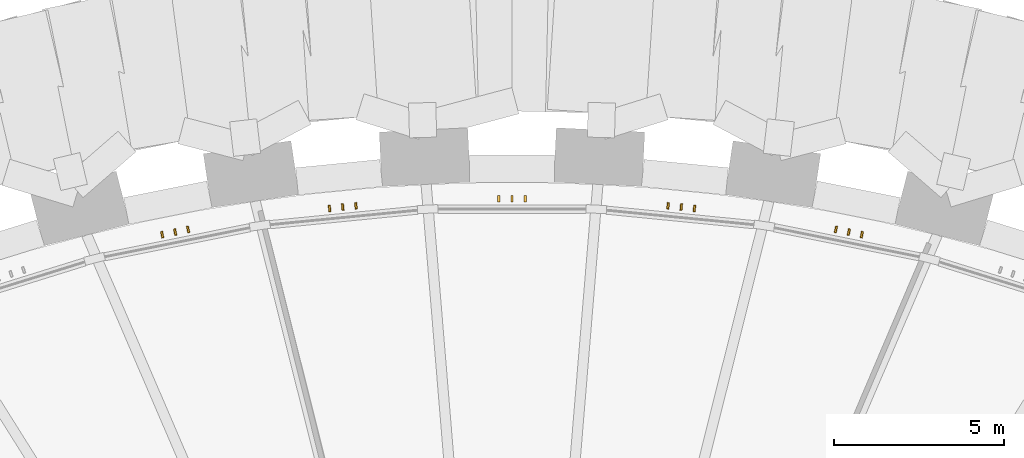
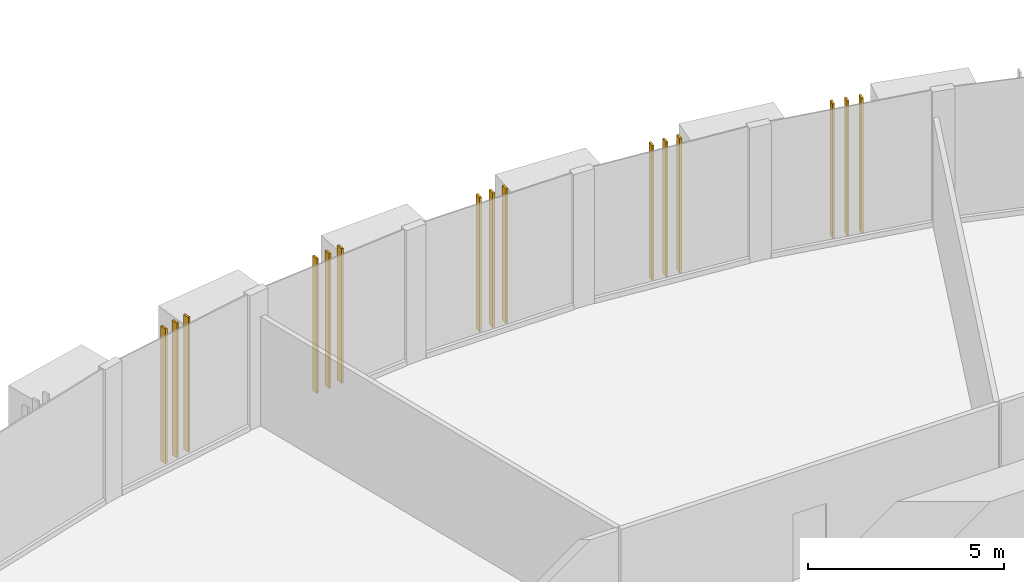
# One storey, part 23 of 23: 15 shading devices.
"""IFC4 building model written with IfcOpenShell, lengths in metres."""

from ifc_helpers import new_model, si_unit, direction, frame, origin, origin_2d, place, context, subcontext, project, spatial, rectangle, extrude, source, transform, mapped, material, material_profile, profile_set, type_object, element, save


model = new_model("IFC4")

# Units and contexts
model_context = context("Model", 3, precision=1e-05, world=origin(), true_north=direction((0.0, 1.0)))
body_context = subcontext(model_context, "Body", "Model", "MODEL_VIEW")
ifc_project = project(units=[si_unit("LENGTHUNIT", "METRE"), si_unit("AREAUNIT", "SQUARE_METRE"), si_unit("VOLUMEUNIT", "CUBIC_METRE"), si_unit("PLANEANGLEUNIT", "RADIAN"), si_unit("MASSUNIT", "GRAM", prefix="KILO")], contexts=[model_context])

# Site, building, storey
site_placement = place(None, origin())
site = spatial("IfcSite", under=ifc_project, at=site_placement, CompositionType="ELEMENT")
building_placement = place(site_placement, origin())
building = spatial("IfcBuilding", under=site, at=building_placement, Name="Embergate Tower", CompositionType="ELEMENT")
storey_placement = place(building_placement, frame((0.0, 0.0, 29.0)))
storey = spatial("IfcBuildingStorey", under=building, at=storey_placement, Name="L03", CompositionType="ELEMENT", Elevation=29.0)

# Shading devices
ifc_material = material(Name="Terracotta, extruded and glazed", Category="masonry")
ifc_material_profile = material_profile(ifc_material, rectangle(XDim=0.18994140625, YDim=0.06005859375, at=origin_2d()), Name="TC 190x60")
ifc_profile_set = profile_set([ifc_material_profile], Name="Terracotta, extruded and glazed")
shading_device_type = type_object("IfcShadingDeviceType", Name="Terracotta fin", PredefinedType="USERDEFINED", material=ifc_profile_set)
shared_shape = source(origin(), body_context, "Body", "SweptSolid", [
    extrude(rectangle(XDim=0.18994140625, YDim=0.06005859375, at=origin_2d()), origin(), (0.0, 0.0, 1.0), 4.199951171875),
])
for number, where, z_axis, x_axis, name in (
    (1, (10.27587890625, 29.073486328125, 0.0), (0.0, 0.0, 1.0), (-0.196644384646, -0.980474877795, 0.0), "Fin 9.1"),
    (2, (9.8955078125, 29.14990234375, 0.0), (0.0, 0.0, 1.0), (-0.196644384646, -0.980474877795, 0.0), "Fin 9.2"),
    (3, (9.514892578125, 29.226318359375, 0.0), (0.0, 0.0, 1.0), (-0.196644384646, -0.980474877795, 0.0), "Fin 9.3"),
    (4, (5.35888671875, 29.845703125, 0.0), (0.0, 0.0, 1.0), (-0.097831287645, -0.995203014042, 0.0), "Fin 10.1"),
    (5, (4.97216796875, 29.8837890625, 0.0), (0.0, 0.0, 1.0), (-0.097831287645, -0.995203014042, 0.0), "Fin 10.2"),
    (6, (4.58544921875, 29.921630859375, 0.0), (0.0, 0.0, 1.0), (-0.097831287645, -0.995203014042, 0.0), "Fin 10.3"),
    (7, (0.388671875, 30.12744140625, 0.0), (0.0, 0.0, 1.0), (0.0, -1.0, 0.0), "Fin 11.1"),
    (8, (0.0, 30.12744140625, 0.0), (0.0, 0.0, 1.0), (0.0, -1.0, 0.0), "Fin 11.2"),
    (9, (-0.388671875, 30.12744140625, 0.0), (0.0, 0.0, 1.0), (0.0, -1.0, 0.0), "Fin 11.3"),
    (10, (-4.58544921875, 29.921630859375, 0.0), (0.0, 0.0, 1.0), (0.097831287645, -0.995203014042, 0.0), "Fin 12.1"),
    (11, (-4.97216796875, 29.8837890625, 0.0), (0.0, 0.0, 1.0), (0.097831287645, -0.995203014042, 0.0), "Fin 12.2"),
    (12, (-5.35888671875, 29.845703125, 0.0), (0.0, 0.0, 1.0), (0.097831287645, -0.995203014042, 0.0), "Fin 12.3"),
    (13, (-9.514892578125, 29.226318359375, 0.0), (0.0, 0.0, 1.0), (0.196644384646, -0.980474877795, 0.0), "Fin 13.1"),
    (14, (-9.8955078125, 29.14990234375, 0.0), (0.0, 0.0, 1.0), (0.196644384646, -0.980474877795, 0.0), "Fin 13.2"),
    (15, (-10.27587890625, 29.073486328125, 0.0), (0.0, 0.0, 1.0), (0.196644384646, -0.980474877795, 0.0), "Fin 13.3"),
):
    element("IfcShadingDevice", number, at=place(storey_placement, frame(where, z_axis=z_axis, x_axis=x_axis)), inside=storey, type_object=shading_device_type, Name=name, ObjectType="FIN", PredefinedType="USERDEFINED", context=body_context, shape_type="MappedRepresentation", body=[
        mapped(shared_shape, transform((0.0, 0.0, 0.0))),
    ])

save(model, "model.ifc")
